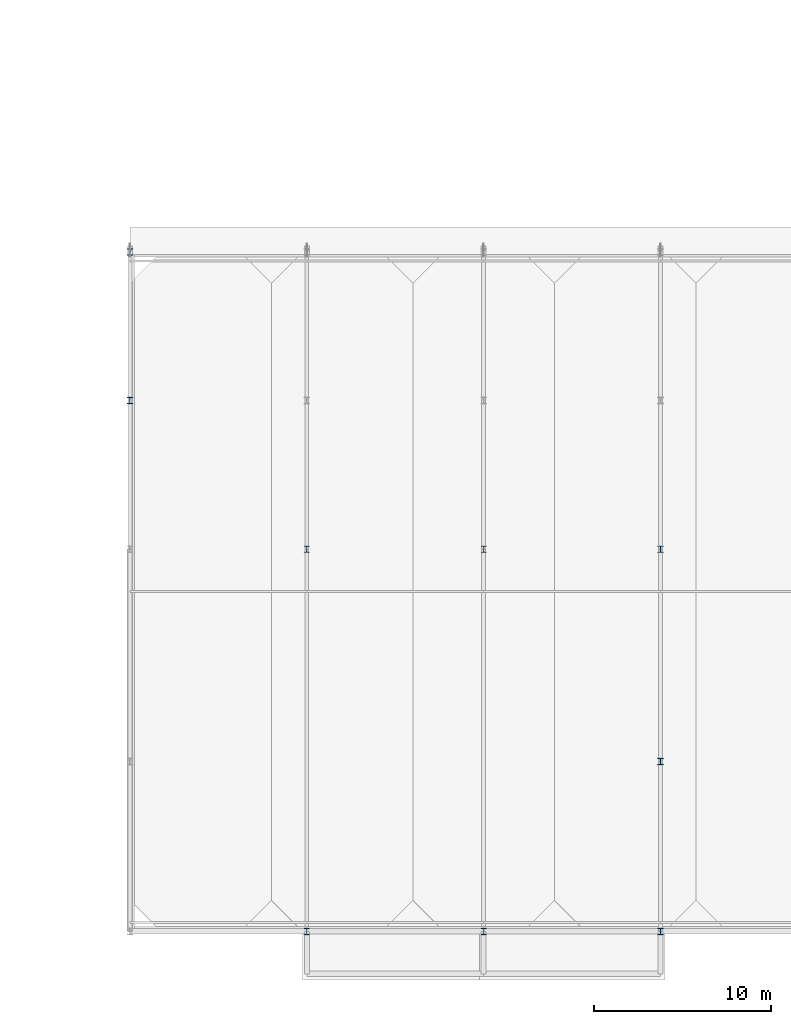
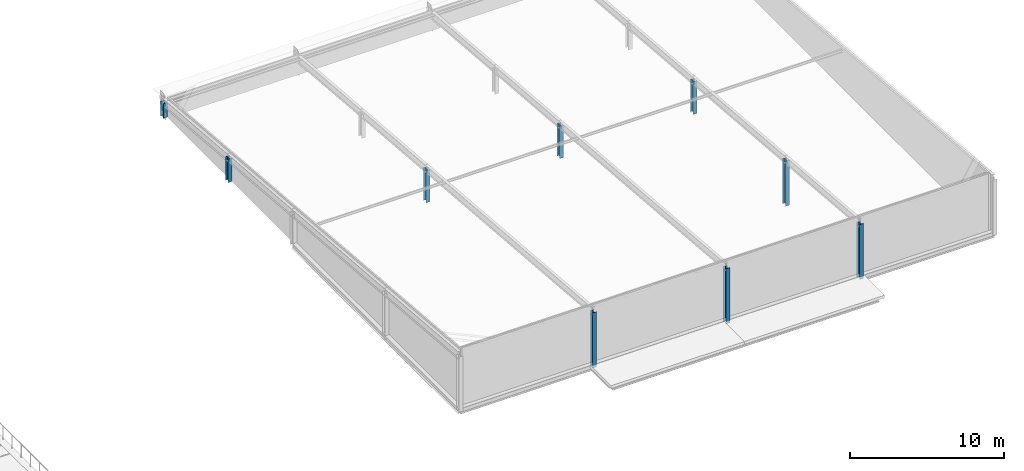
# One storey, part 15 of 79: 9 columns.
"""IFC4 building model written with IfcOpenShell, lengths in metres."""

from ifc_helpers import new_model, si_unit, direction, frame, origin, origin_2d, place, context, subcontext, project, spatial, i_section, extrude, material, material_profile, profile_set, type_object, element, save


model = new_model("IFC4")

# Units and contexts
model_context = context("Model", 3, precision=1e-05, world=origin(), true_north=direction((0.0, 1.0)))
body_context = subcontext(model_context, "Body", "Model", "MODEL_VIEW")
ifc_project = project(units=[si_unit("LENGTHUNIT", "METRE"), si_unit("AREAUNIT", "SQUARE_METRE"), si_unit("VOLUMEUNIT", "CUBIC_METRE"), si_unit("PLANEANGLEUNIT", "RADIAN"), si_unit("MASSUNIT", "GRAM", prefix="KILO")], contexts=[model_context])

# Site, building, storey
site_placement = place(None, origin())
site = spatial("IfcSite", under=ifc_project, at=site_placement, CompositionType="ELEMENT")
building_placement = place(site_placement, origin())
building = spatial("IfcBuilding", under=site, at=building_placement, Name="Zereglee Splitstone Museum", CompositionType="ELEMENT")
storey_placement = place(building_placement, frame((0.0, 0.0, 9.0)))
storey = spatial("IfcBuildingStorey", under=building, at=storey_placement, Name="L02", CompositionType="ELEMENT", Elevation=9.0)

# Columns
ifc_material = material(Name="Steel S355J2", Category="steel")
ifc_material_profile = material_profile(ifc_material, i_section(OverallWidth=0.300048828125, OverallDepth=0.360107421875, WebThickness=0.012451171875, FlangeThickness=0.0224609375, FilletRadius=0.027099609375, at=origin_2d()), Name="HE 360 B")
ifc_profile_set = profile_set([ifc_material_profile], Name="Steel S355J2")
column_type = type_object("IfcColumnType", Name="C-16", PredefinedType="COLUMN", material=ifc_profile_set)
column_1_placement = place(storey_placement, frame((256.0, 30.0, 0.0), z_axis=(0.0, 0.0, 1.0), x_axis=(1.0, 0.0, 0.0)))
element("IfcColumn", 1, at=column_1_placement, inside=storey, type_object=column_type, Name="Roof Support Column RF-V5 (256.0,30.0)", PredefinedType="COLUMN", context=body_context, shape_type="SweptSolid", body=[
    extrude(i_section(OverallWidth=0.300048828125, OverallDepth=0.360107421875, WebThickness=0.012451171875, FlangeThickness=0.0224609375, FilletRadius=0.027099609375, at=origin_2d()), origin(), (0.0, 0.0, 1.0), 1.868408203125),
])
column_2_placement = place(storey_placement, frame((256.0, 38.39990234375, 0.0), z_axis=(0.0, 0.0, 1.0), x_axis=(1.0, 0.0, 0.0)))
element("IfcColumn", 2, at=column_2_placement, inside=storey, type_object=column_type, Name="Roof Support Column RF-V5 (256.0,38.4)", PredefinedType="COLUMN", context=body_context, shape_type="SweptSolid", body=[
    extrude(i_section(OverallWidth=0.300048828125, OverallDepth=0.360107421875, WebThickness=0.012451171875, FlangeThickness=0.0224609375, FilletRadius=0.027099609375, at=origin_2d()), origin(), (0.0, 0.0, 1.0), 1.16845703125),
])
column_3_placement = place(storey_placement, frame((266.0, 0.0, 0.0), z_axis=(0.0, 0.0, 1.0), x_axis=(1.0, 0.0, 0.0)))
element("IfcColumn", 3, at=column_3_placement, inside=storey, type_object=column_type, Name="Roof Support Column RF-V5 (266.0,0.0)", PredefinedType="COLUMN", context=body_context, shape_type="SweptSolid", body=[
    extrude(i_section(OverallWidth=0.300048828125, OverallDepth=0.360107421875, WebThickness=0.012451171875, FlangeThickness=0.0224609375, FilletRadius=0.027099609375, at=origin_2d()), origin(), (0.0, 0.0, 1.0), 4.368408203125),
])
column_4_placement = place(storey_placement, frame((266.0, 21.60009765625, 0.0), z_axis=(0.0, 0.0, 1.0), x_axis=(1.0, 0.0, 0.0)))
element("IfcColumn", 4, at=column_4_placement, inside=storey, type_object=column_type, Name="Roof Support Column RF-V5 (266.0,21.6)", PredefinedType="COLUMN", context=body_context, shape_type="SweptSolid", body=[
    extrude(i_section(OverallWidth=0.300048828125, OverallDepth=0.360107421875, WebThickness=0.012451171875, FlangeThickness=0.0224609375, FilletRadius=0.027099609375, at=origin_2d()), origin(), (0.0, 0.0, 1.0), 2.568359375),
])
column_5_placement = place(storey_placement, frame((276.0, 0.0, 0.0), z_axis=(0.0, 0.0, 1.0), x_axis=(1.0, 0.0, 0.0)))
element("IfcColumn", 5, at=column_5_placement, inside=storey, type_object=column_type, Name="Roof Support Column RF-V5 (276.0,0.0)", PredefinedType="COLUMN", context=body_context, shape_type="SweptSolid", body=[
    extrude(i_section(OverallWidth=0.300048828125, OverallDepth=0.360107421875, WebThickness=0.012451171875, FlangeThickness=0.0224609375, FilletRadius=0.027099609375, at=origin_2d()), origin(), (0.0, 0.0, 1.0), 4.368408203125),
])
column_6_placement = place(storey_placement, frame((276.0, 21.60009765625, 0.0), z_axis=(0.0, 0.0, 1.0), x_axis=(1.0, 0.0, 0.0)))
element("IfcColumn", 6, at=column_6_placement, inside=storey, type_object=column_type, Name="Roof Support Column RF-V5 (276.0,21.6)", PredefinedType="COLUMN", context=body_context, shape_type="SweptSolid", body=[
    extrude(i_section(OverallWidth=0.300048828125, OverallDepth=0.360107421875, WebThickness=0.012451171875, FlangeThickness=0.0224609375, FilletRadius=0.027099609375, at=origin_2d()), origin(), (0.0, 0.0, 1.0), 2.568359375),
])
column_7_placement = place(storey_placement, frame((286.0, 0.0, 0.0), z_axis=(0.0, 0.0, 1.0), x_axis=(1.0, 0.0, 0.0)))
element("IfcColumn", 7, at=column_7_placement, inside=storey, type_object=column_type, Name="Roof Support Column RF-V5 (286.0,0.0)", PredefinedType="COLUMN", context=body_context, shape_type="SweptSolid", body=[
    extrude(i_section(OverallWidth=0.300048828125, OverallDepth=0.360107421875, WebThickness=0.012451171875, FlangeThickness=0.0224609375, FilletRadius=0.027099609375, at=origin_2d()), origin(), (0.0, 0.0, 1.0), 4.368408203125),
])
column_8_placement = place(storey_placement, frame((286.0, 9.60009765625, 0.0), z_axis=(0.0, 0.0, 1.0), x_axis=(1.0, 0.0, 0.0)))
element("IfcColumn", 8, at=column_8_placement, inside=storey, type_object=column_type, Name="Roof Support Column RF-V5 (286.0,9.6)", PredefinedType="COLUMN", context=body_context, shape_type="SweptSolid", body=[
    extrude(i_section(OverallWidth=0.300048828125, OverallDepth=0.360107421875, WebThickness=0.012451171875, FlangeThickness=0.0224609375, FilletRadius=0.027099609375, at=origin_2d()), origin(), (0.0, 0.0, 1.0), 3.568359375),
])
column_9_placement = place(storey_placement, frame((286.0, 21.60009765625, 0.0), z_axis=(0.0, 0.0, 1.0), x_axis=(1.0, 0.0, 0.0)))
element("IfcColumn", 9, at=column_9_placement, inside=storey, type_object=column_type, Name="Roof Support Column RF-V5 (286.0,21.6)", PredefinedType="COLUMN", context=body_context, shape_type="SweptSolid", body=[
    extrude(i_section(OverallWidth=0.300048828125, OverallDepth=0.360107421875, WebThickness=0.012451171875, FlangeThickness=0.0224609375, FilletRadius=0.027099609375, at=origin_2d()), origin(), (0.0, 0.0, 1.0), 2.568359375),
])

save(model, "model.ifc")
